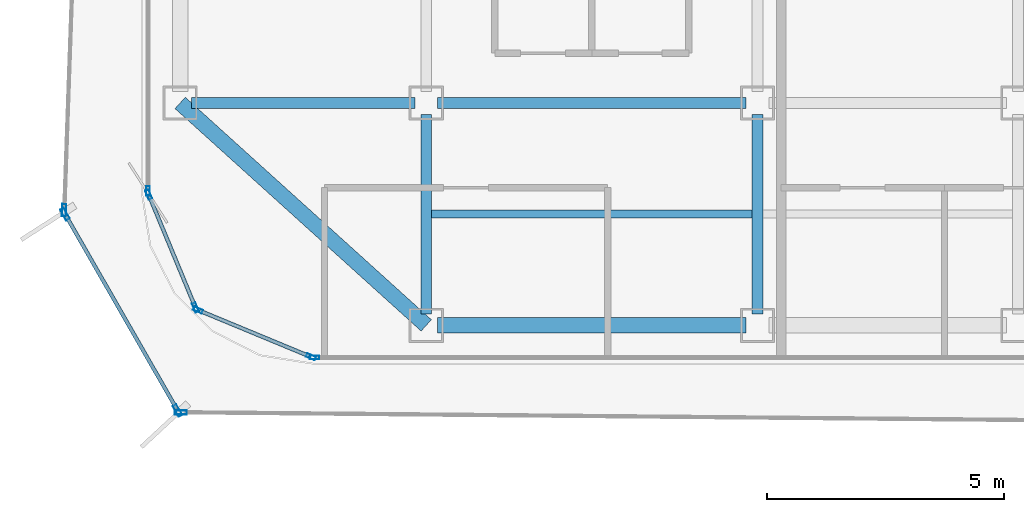
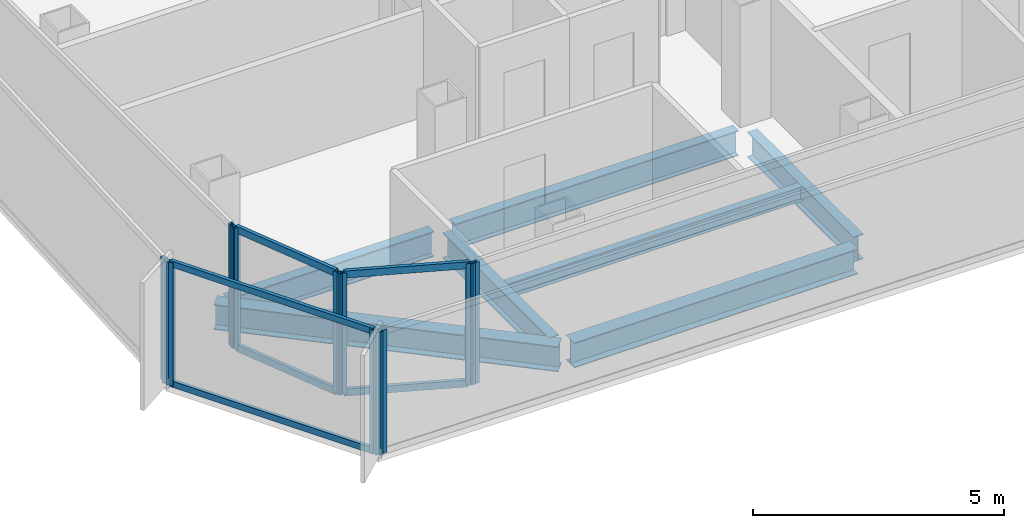
# One storey, part 2 of 16: 16 members, 7 beams, 7 elements without a shape of their own.
"""IFC4 building model written with IfcOpenShell, lengths in metres."""

from ifc_helpers import new_model, si_unit, direction, frame, origin, origin_2d, place, context, subcontext, project, spatial, hollow_rectangle, i_section, extrude, source, transform, mapped, material, layer, layer_set, material_profile, profile_set, type_object, element, aggregate, save


model = new_model("IFC4")

# Units and contexts
model_context = context("Model", 3, precision=1e-05, world=origin(), true_north=direction((0.0, 1.0)))
body_context = subcontext(model_context, "Body", "Model", "MODEL_VIEW")
ifc_project = project(units=[si_unit("LENGTHUNIT", "METRE"), si_unit("AREAUNIT", "SQUARE_METRE"), si_unit("VOLUMEUNIT", "CUBIC_METRE"), si_unit("PLANEANGLEUNIT", "RADIAN"), si_unit("MASSUNIT", "GRAM", prefix="KILO")], contexts=[model_context])

# Site, building, storey
site_placement = place(None, origin())
site = spatial("IfcSite", under=ifc_project, at=site_placement, CompositionType="ELEMENT")
building_placement = place(site_placement, origin())
building = spatial("IfcBuilding", under=site, at=building_placement, Name="Kolveth Station Tower", CompositionType="ELEMENT")
storey_placement = place(building_placement, frame((0.0, 0.0, 178.5)))
storey = spatial("IfcBuildingStorey", under=building, at=storey_placement, Name="L50", CompositionType="ELEMENT", Elevation=178.5)

# Beams
ifc_material_1 = material(Name="Steel S355", Category="steel")
ifc_material_profile_1 = material_profile(ifc_material_1, i_section(OverallWidth=0.323974609375, OverallDepth=0.611083984375, WebThickness=0.0126953125, FlangeThickness=0.01904296875, at=origin_2d()), Name="W610x155")
ifc_profile_set_1 = profile_set([ifc_material_profile_1], Name="Steel S355")
beam_type_1 = type_object("IfcBeamType", Name="Beam_SP2", PredefinedType="SPANDREL", material=ifc_profile_set_1)
shared_shape_1 = source(origin(), body_context, "Body", "SweptSolid", [
    extrude(i_section(OverallWidth=0.323974609375, OverallDepth=0.611083984375, WebThickness=0.0126953125, FlangeThickness=0.01904296875, at=origin_2d()), origin(), (0.0, 0.0, 1.0), 7.00927734375),
])
beam_1_placement = place(storey_placement, frame((0.800048828125, 5.5, -0.555419921875), z_axis=(0.741874009795, -0.670539300557, 0.0), x_axis=(0.670539300557, 0.741874009795, 0.0)))
element("IfcBeam", 1, at=beam_1_placement, inside=storey, type_object=beam_type_1, Name="L50 Corner Edge Girder BM-L50-CNR-SW", PredefinedType="SPANDREL", context=body_context, shape_type="MappedRepresentation", body=[
    mapped(shared_shape_1, transform((0.0, 0.0, 0.0), x_axis=(1.0, 0.0, 0.0), y_axis=(0.0, 1.0, 0.0), z_axis=(0.0, 0.0, 1.0), scale=1.0)),
])
shared_shape_2 = source(origin(), body_context, "Body", "SweptSolid", [
    extrude(i_section(OverallWidth=0.323974609375, OverallDepth=0.611083984375, WebThickness=0.0126953125, FlangeThickness=0.01904296875, at=origin_2d()), origin(), (0.0, 0.0, 1.0), 6.52001953125),
])
beam_2_placement = place(storey_placement, frame((6.239990234375, 0.800048828125, -0.555419921875), z_axis=(1.0, 0.0, 0.0), x_axis=(0.0, 1.0, 0.0)))
element("IfcBeam", 2, at=beam_2_placement, inside=storey, type_object=beam_type_1, Name="L50 Perimeter Spandrel BM-L50-PS-1", PredefinedType="SPANDREL", context=body_context, shape_type="MappedRepresentation", body=[
    mapped(shared_shape_2, transform((0.0, 0.0, 0.0), x_axis=(1.0, 0.0, 0.0), y_axis=(0.0, 1.0, 0.0), z_axis=(0.0, 0.0, 1.0), scale=1.0)),
])
ifc_material_profile_2 = material_profile(ifc_material_1, i_section(OverallWidth=0.22900390625, OverallDepth=0.612060546875, WebThickness=0.011962890625, FlangeThickness=0.01953125, at=origin_2d()), Name="W610x125")
ifc_profile_set_2 = profile_set([ifc_material_profile_2], Name="Steel S355")
beam_type_2 = type_object("IfcBeamType", Name="Beam_B5", PredefinedType="BEAM", material=ifc_profile_set_2)
shared_shape_3 = source(origin(), body_context, "Body", "SweptSolid", [
    extrude(i_section(OverallWidth=0.22900390625, OverallDepth=0.612060546875, WebThickness=0.011962890625, FlangeThickness=0.01953125, at=origin_2d()), origin(), (0.0, 0.0, 1.0), 4.719970703125),
])
beam_3_placement = place(storey_placement, frame((1.0400390625, 5.5, -0.555908203125), z_axis=(1.0, 0.0, 0.0), x_axis=(0.0, 1.0, 0.0)))
element("IfcBeam", 3, at=beam_3_placement, inside=storey, type_object=beam_type_2, Name="L50 Primary Girder BM-L50-GY55-1", PredefinedType="BEAM", context=body_context, shape_type="MappedRepresentation", body=[
    mapped(shared_shape_3, transform((0.0, 0.0, 0.0), x_axis=(1.0, 0.0, 0.0), y_axis=(0.0, 1.0, 0.0), z_axis=(0.0, 0.0, 1.0), scale=1.0)),
])
shared_shape_4 = source(origin(), body_context, "Body", "SweptSolid", [
    extrude(i_section(OverallWidth=0.22900390625, OverallDepth=0.612060546875, WebThickness=0.011962890625, FlangeThickness=0.01953125, at=origin_2d()), origin(), (0.0, 0.0, 1.0), 6.52001953125),
])
beam_4_placement = place(storey_placement, frame((6.239990234375, 5.5, -0.555908203125), z_axis=(1.0, 0.0, 0.0), x_axis=(0.0, 1.0, 0.0)))
element("IfcBeam", 4, at=beam_4_placement, inside=storey, type_object=beam_type_2, Name="L50 Primary Girder BM-L50-GY55-2", PredefinedType="BEAM", context=body_context, shape_type="MappedRepresentation", body=[
    mapped(shared_shape_4, transform((0.0, 0.0, 0.0), x_axis=(1.0, 0.0, 0.0), y_axis=(0.0, 1.0, 0.0), z_axis=(0.0, 0.0, 1.0), scale=1.0)),
])
shared_shape_5 = source(origin(), body_context, "Body", "SweptSolid", [
    extrude(i_section(OverallWidth=0.22900390625, OverallDepth=0.612060546875, WebThickness=0.011962890625, FlangeThickness=0.01953125, at=origin_2d()), origin(), (0.0, 0.0, 1.0), 4.219970703125),
])
for number, where, z_axis, x_axis, name in (
    (5, (6.0, 1.0400390625, -0.555908203125), (0.0, 1.0, 0.0), (-1.0, 0.0, 0.0), "L50 Primary Girder BM-L50-GX60-1"),
    (6, (13.0, 1.0400390625, -0.555908203125), (0.0, 1.0, 0.0), (-1.0, 0.0, 0.0), "L50 Primary Girder BM-L50-GX130-1"),
):
    element("IfcBeam", number, at=place(storey_placement, frame(where, z_axis=z_axis, x_axis=x_axis)), inside=storey, type_object=beam_type_2, Name=name, PredefinedType="BEAM", context=body_context, shape_type="MappedRepresentation", body=[
        mapped(shared_shape_5, transform((0.0, 0.0, 0.0), x_axis=(1.0, 0.0, 0.0), y_axis=(0.0, 1.0, 0.0), z_axis=(0.0, 0.0, 1.0), scale=1.0)),
    ])
ifc_material_profile_3 = material_profile(ifc_material_1, i_section(OverallWidth=0.1708984375, OverallDepth=0.35205078125, WebThickness=0.0068359375, FlangeThickness=0.009765625, at=origin_2d()), Name="W360x44")
ifc_profile_set_3 = profile_set([ifc_material_profile_3], Name="Steel S355")
beam_type_3 = type_object("IfcBeamType", Name="Beam_J2", PredefinedType="JOIST", material=ifc_profile_set_3)
shared_shape_6 = source(origin(), body_context, "Body", "SweptSolid", [
    extrude(i_section(OverallWidth=0.1708984375, OverallDepth=0.35205078125, WebThickness=0.0068359375, FlangeThickness=0.009765625, at=origin_2d()), origin(), (0.0, 0.0, 1.0), 6.77490234375),
])
beam_5_placement = place(storey_placement, frame((6.112548828125, 3.14990234375, -0.426025390625), z_axis=(1.0, 0.0, 0.0), x_axis=(0.0, 1.0, 0.0)))
element("IfcBeam", 7, at=beam_5_placement, inside=storey, type_object=beam_type_3, Name="L50 Secondary Joist JST-L50-2-1", PredefinedType="JOIST", context=body_context, shape_type="MappedRepresentation", body=[
    mapped(shared_shape_6, transform((0.0, 0.0, 0.0), x_axis=(1.0, 0.0, 0.0), y_axis=(0.0, 1.0, 0.0), z_axis=(0.0, 0.0, 1.0), scale=1.0)),
])

# Curtain wall, member
ifc_material_2 = material(Name="Aluminium 6063-T6 and low-E dark glass", Category="aluminium")
ifc_layer_1 = layer(ifc_material_2, 0.18994140625)
ifc_layer_set_1 = layer_set([ifc_layer_1], Name="Aluminium 6063-T6 and low-E dark glass")
curtain_wall_type_1 = type_object("IfcCurtainWallType", Name="CurtainWall_CW-Z2", PredefinedType="NOTDEFINED", material=ifc_layer_set_1)
curtain_wall_1_placement = place(storey_placement, origin())
curtain_wall_1 = element("IfcCurtainWall", 8, at=curtain_wall_1_placement, inside=storey, type_object=curtain_wall_type_1, Name="L50 Inner Thermal Curtain Wall 9", PredefinedType="NOTDEFINED")
ifc_material_3 = material(Name="Black anodized aluminium 6063-T6", Category="aluminium")
ifc_material_profile_4 = material_profile(ifc_material_3, hollow_rectangle(XDim=0.080078125, YDim=0.199951171875, WallThickness=0.0048828125, at=origin_2d()), Name="ALU-80x200x5")
ifc_profile_set_4 = profile_set([ifc_material_profile_4], Name="Black anodized aluminium 6063-T6")
member_type_1 = type_object("IfcMemberType", Name="Mullion_ML2", PredefinedType="MULLION", material=ifc_profile_set_4)
shared_shape_7 = source(origin(), body_context, "Body", "SweptSolid", [
    extrude(hollow_rectangle(XDim=0.080078125, YDim=0.199951171875, WallThickness=0.0048828125, at=origin_2d()), origin(), (0.0, 0.0, 1.0), 2.949951171875),
])
member_1_placement = place(storey_placement, frame((0.1201171875, 3.639892578125, 0.0), z_axis=(0.0, 0.0, 1.0), x_axis=(1.0, 0.0, 0.0)))
member_1 = element("IfcMember", 9, at=member_1_placement, type_object=member_type_1, Name="CW-Z2 mullion 2", PredefinedType="MULLION", context=body_context, shape_type="MappedRepresentation", body=[
    mapped(shared_shape_7, transform((0.0, 0.0, 0.0), x_axis=(1.0, 0.0, 0.0), y_axis=(0.0, 1.0, 0.0), z_axis=(0.0, 0.0, 1.0), scale=1.0)),
])
aggregate(curtain_wall_1, [member_1])

# Curtain wall, members
curtain_wall_2_placement = place(storey_placement, origin())
curtain_wall_2 = element("IfcCurtainWall", 10, at=curtain_wall_2_placement, inside=storey, type_object=curtain_wall_type_1, Name="L50 Inner Thermal Curtain Wall 10", PredefinedType="NOTDEFINED")
member_2_placement = place(storey_placement, frame((0.13525390625, 3.56298828125, 0.0), z_axis=(0.0, 0.0, 1.0), x_axis=(0.923873600544, 0.382697753087, 0.0)))
member_2 = element("IfcMember", 11, at=member_2_placement, type_object=member_type_1, Name="CW-Z2 mullion 1", PredefinedType="MULLION", context=body_context, shape_type="MappedRepresentation", body=[
    mapped(shared_shape_7, transform((0.0, 0.0, 0.0), x_axis=(1.0, 0.0, 0.0), y_axis=(0.0, 1.0, 0.0), z_axis=(0.0, 0.0, 1.0), scale=1.0)),
])
member_3_placement = place(storey_placement, frame((1.1240234375, 1.17626953125, 0.0), z_axis=(0.0, 0.0, 1.0), x_axis=(0.923873600544, 0.382697753087, 0.0)))
member_3 = element("IfcMember", 12, at=member_3_placement, type_object=member_type_1, Name="CW-Z2 mullion 2", PredefinedType="MULLION", context=body_context, shape_type="MappedRepresentation", body=[
    mapped(shared_shape_7, transform((0.0, 0.0, 0.0), x_axis=(1.0, 0.0, 0.0), y_axis=(0.0, 1.0, 0.0), z_axis=(0.0, 0.0, 1.0), scale=1.0)),
])

curtain_wall_3_placement = place(storey_placement, origin())
curtain_wall_3 = element("IfcCurtainWall", 13, at=curtain_wall_3_placement, inside=storey, type_object=curtain_wall_type_1, Name="L50 Inner Thermal Curtain Wall 11", PredefinedType="NOTDEFINED")
member_4_placement = place(storey_placement, frame((1.17626953125, 1.1240234375, 0.0), z_axis=(0.0, 0.0, 1.0), x_axis=(0.382697753087, 0.923873600544, 0.0)))
member_4 = element("IfcMember", 14, at=member_4_placement, type_object=member_type_1, Name="CW-Z2 mullion 1", PredefinedType="MULLION", context=body_context, shape_type="MappedRepresentation", body=[
    mapped(shared_shape_7, transform((0.0, 0.0, 0.0), x_axis=(1.0, 0.0, 0.0), y_axis=(0.0, 1.0, 0.0), z_axis=(0.0, 0.0, 1.0), scale=1.0)),
])
member_5_placement = place(storey_placement, frame((3.56298828125, 0.13525390625, 0.0), z_axis=(0.0, 0.0, 1.0), x_axis=(0.382697753087, 0.923873600544, 0.0)))
member_5 = element("IfcMember", 15, at=member_5_placement, type_object=member_type_1, Name="CW-Z2 mullion 2", PredefinedType="MULLION", context=body_context, shape_type="MappedRepresentation", body=[
    mapped(shared_shape_7, transform((0.0, 0.0, 0.0), x_axis=(1.0, 0.0, 0.0), y_axis=(0.0, 1.0, 0.0), z_axis=(0.0, 0.0, 1.0), scale=1.0)),
])

# Curtain wall, member
curtain_wall_4_placement = place(storey_placement, origin())
curtain_wall_4 = element("IfcCurtainWall", 16, at=curtain_wall_4_placement, inside=storey, type_object=curtain_wall_type_1, Name="L50 Inner Thermal Curtain Wall 12", PredefinedType="NOTDEFINED")
member_6_placement = place(storey_placement, frame((3.639892578125, 0.1201171875, 0.0), z_axis=(0.0, 0.0, 1.0), x_axis=(0.0, 1.0, 0.0)))
member_6 = element("IfcMember", 17, at=member_6_placement, type_object=member_type_1, Name="CW-Z2 mullion 1", PredefinedType="MULLION", context=body_context, shape_type="MappedRepresentation", body=[
    mapped(shared_shape_7, transform((0.0, 0.0, 0.0), x_axis=(1.0, 0.0, 0.0), y_axis=(0.0, 1.0, 0.0), z_axis=(0.0, 0.0, 1.0), scale=1.0)),
])
aggregate(curtain_wall_4, [member_6])

ifc_material_4 = material(Name="Black anodized aluminium 6063-T6 and dark solar glass", Category="aluminium")
ifc_layer_2 = layer(ifc_material_4, 0.159912109375)
ifc_layer_set_2 = layer_set([ifc_layer_2], Name="Black anodized aluminium 6063-T6 and dark solar glass")
curtain_wall_type_2 = type_object("IfcCurtainWallType", Name="OUTER SKIN CW-OS", PredefinedType="NOTDEFINED", material=ifc_layer_set_2)
curtain_wall_5_placement = place(storey_placement, origin())
curtain_wall_5 = element("IfcCurtainWall", 18, at=curtain_wall_5_placement, inside=storey, type_object=curtain_wall_type_2, Name="L50 Outer Ventilated Skin Curtain Wall 6", PredefinedType="NOTDEFINED")
ifc_material_profile_5 = material_profile(ifc_material_3, hollow_rectangle(XDim=0.090087890625, YDim=0.260009765625, WallThickness=0.0048828125, at=origin_2d()), Name="ALU-90x260x5")
ifc_profile_set_5 = profile_set([ifc_material_profile_5], Name="Black anodized aluminium 6063-T6")
member_type_2 = type_object("IfcMemberType", Name="FIN MULLION ML-OS", PredefinedType="MULLION", material=ifc_profile_set_5)
shared_shape_8 = source(origin(), body_context, "Body", "SweptSolid", [
    extrude(hollow_rectangle(XDim=0.090087890625, YDim=0.260009765625, WallThickness=0.0048828125, at=origin_2d()), origin(), (0.0, 0.0, 1.0), 2.989990234375),
])
member_7_placement = place(storey_placement, frame((-1.652587890625, 3.234130859375, 0.0), z_axis=(0.0, 0.0, 1.0), x_axis=(0.999376432226, -0.035309300622, 0.0)))
member_7 = element("IfcMember", 19, at=member_7_placement, type_object=member_type_2, Name="CW-OS mullion 2", PredefinedType="MULLION", context=body_context, shape_type="MappedRepresentation", body=[
    mapped(shared_shape_8, transform((0.0, 0.0, 0.0), x_axis=(1.0, 0.0, 0.0), y_axis=(0.0, 1.0, 0.0), z_axis=(0.0, 0.0, 1.0), scale=1.0)),
])
aggregate(curtain_wall_5, [member_7])

# Curtain wall, members
curtain_wall_6_placement = place(storey_placement, origin())
curtain_wall_6 = element("IfcCurtainWall", 20, at=curtain_wall_6_placement, inside=storey, type_object=curtain_wall_type_2, Name="L50 Outer Ventilated Skin Curtain Wall 7", PredefinedType="NOTDEFINED")
member_8_placement = place(storey_placement, frame((-1.6318359375, 3.150146484375, 0.0), z_axis=(0.0, 0.0, 1.0), x_axis=(0.867628755994, 0.497212572018, 0.0)))
member_8 = element("IfcMember", 21, at=member_8_placement, type_object=member_type_2, Name="CW-OS mullion 1", PredefinedType="MULLION", context=body_context, shape_type="MappedRepresentation", body=[
    mapped(shared_shape_8, transform((0.0, 0.0, 0.0), x_axis=(1.0, 0.0, 0.0), y_axis=(0.0, 1.0, 0.0), z_axis=(0.0, 0.0, 1.0), scale=1.0)),
])
member_9_placement = place(storey_placement, frame((0.746337890625, -0.999755859375, 0.0), z_axis=(0.0, 0.0, 1.0), x_axis=(0.867628755994, 0.497212572018, 0.0)))
member_9 = element("IfcMember", 22, at=member_9_placement, type_object=member_type_2, Name="CW-OS mullion 2", PredefinedType="MULLION", context=body_context, shape_type="MappedRepresentation", body=[
    mapped(shared_shape_8, transform((0.0, 0.0, 0.0), x_axis=(1.0, 0.0, 0.0), y_axis=(0.0, 1.0, 0.0), z_axis=(0.0, 0.0, 1.0), scale=1.0)),
])

# Curtain wall, member
curtain_wall_7_placement = place(storey_placement, origin())
curtain_wall_7 = element("IfcCurtainWall", 23, at=curtain_wall_7_placement, inside=storey, type_object=curtain_wall_type_2, Name="L50 Outer Ventilated Skin Curtain Wall 8", PredefinedType="NOTDEFINED")
member_10_placement = place(storey_placement, frame((0.813720703125, -1.039306640625, 0.0), z_axis=(0.0, 0.0, 1.0), x_axis=(0.009203011757, 0.999957651391, 0.0)))
member_10 = element("IfcMember", 24, at=member_10_placement, type_object=member_type_2, Name="CW-OS mullion 1", PredefinedType="MULLION", context=body_context, shape_type="MappedRepresentation", body=[
    mapped(shared_shape_8, transform((0.0, 0.0, 0.0), x_axis=(1.0, 0.0, 0.0), y_axis=(0.0, 1.0, 0.0), z_axis=(0.0, 0.0, 1.0), scale=1.0)),
])
aggregate(curtain_wall_7, [member_10])

# Member
ifc_material_profile_6 = material_profile(ifc_material_3, hollow_rectangle(XDim=0.080078125, YDim=0.169921875, WallThickness=0.0048828125, at=origin_2d()), Name="ALU-80x170x5")
ifc_profile_set_6 = profile_set([ifc_material_profile_6], Name="Black anodized aluminium 6063-T6")
member_type_3 = type_object("IfcMemberType", Name="Transom_TR2", PredefinedType="USERDEFINED", material=ifc_profile_set_6)
shared_shape_9 = source(origin(), body_context, "Body", "SweptSolid", [
    extrude(hollow_rectangle(XDim=0.080078125, YDim=0.169921875, WallThickness=0.0048828125, at=origin_2d()), origin(), (0.0, 0.0, 1.0), 2.50341796875),
])
member_11_placement = place(storey_placement, frame((0.150634765625, 3.526123046875, 0.0400390625), z_axis=(0.382661849723, -0.923888472039, 0.0), x_axis=(0.923888472039, 0.382661849723, 0.0)))
member_11 = element("IfcMember", 25, at=member_11_placement, type_object=member_type_3, Name="CW-Z2 transom 1.1", ObjectType="TRANSOM", PredefinedType="USERDEFINED", context=body_context, shape_type="MappedRepresentation", body=[
    mapped(shared_shape_9, transform((0.0, 0.0, 0.0), x_axis=(1.0, 0.0, 0.0), y_axis=(0.0, 1.0, 0.0), z_axis=(0.0, 0.0, 1.0), scale=1.0)),
])

member_12_placement = place(storey_placement, frame((0.150634765625, 3.526123046875, 2.909912109375), z_axis=(0.382661849723, -0.923888472039, 0.0), x_axis=(0.923888472039, 0.382661849723, 0.0)))
member_12 = element("IfcMember", 26, at=member_12_placement, type_object=member_type_3, Name="CW-Z2 transom 1.2", ObjectType="TRANSOM", PredefinedType="USERDEFINED", context=body_context, shape_type="MappedRepresentation", body=[
    mapped(shared_shape_9, transform((0.0, 0.0, 0.0), x_axis=(1.0, 0.0, 0.0), y_axis=(0.0, 1.0, 0.0), z_axis=(0.0, 0.0, 1.0), scale=1.0)),
])

aggregate(curtain_wall_2, [member_2, member_3, member_11, member_12])

member_13_placement = place(storey_placement, frame((1.213134765625, 1.108642578125, 0.0400390625), z_axis=(0.923888472039, -0.382661849723, 0.0), x_axis=(0.382661849723, 0.923888472039, 0.0)))
member_13 = element("IfcMember", 27, at=member_13_placement, type_object=member_type_3, Name="CW-Z2 transom 1.1", ObjectType="TRANSOM", PredefinedType="USERDEFINED", context=body_context, shape_type="MappedRepresentation", body=[
    mapped(shared_shape_9, transform((0.0, 0.0, 0.0), x_axis=(1.0, 0.0, 0.0), y_axis=(0.0, 1.0, 0.0), z_axis=(0.0, 0.0, 1.0), scale=1.0)),
])

member_14_placement = place(storey_placement, frame((1.213134765625, 1.108642578125, 2.909912109375), z_axis=(0.923888472039, -0.382661849723, 0.0), x_axis=(0.382661849723, 0.923888472039, 0.0)))
member_14 = element("IfcMember", 28, at=member_14_placement, type_object=member_type_3, Name="CW-Z2 transom 1.2", ObjectType="TRANSOM", PredefinedType="USERDEFINED", context=body_context, shape_type="MappedRepresentation", body=[
    mapped(shared_shape_9, transform((0.0, 0.0, 0.0), x_axis=(1.0, 0.0, 0.0), y_axis=(0.0, 1.0, 0.0), z_axis=(0.0, 0.0, 1.0), scale=1.0)),
])

aggregate(curtain_wall_3, [member_4, member_5, member_13, member_14])

ifc_material_profile_7 = material_profile(ifc_material_3, hollow_rectangle(XDim=0.080078125, YDim=0.14990234375, WallThickness=0.0048828125, at=origin_2d()), Name="ALU-80x150x5")
ifc_profile_set_7 = profile_set([ifc_material_profile_7], Name="Black anodized aluminium 6063-T6")
member_type_4 = type_object("IfcMemberType", Name="Transom_TR-OS", PredefinedType="USERDEFINED", material=ifc_profile_set_7)
shared_shape_10 = source(origin(), body_context, "Body", "SweptSolid", [
    extrude(hollow_rectangle(XDim=0.080078125, YDim=0.14990234375, WallThickness=0.0048828125, at=origin_2d()), origin(), (0.0, 0.0, 1.0), 4.693115234375),
])
member_15_placement = place(storey_placement, frame((-1.609375, 3.111083984375, 0.0400390625), z_axis=(0.49722540737, -0.867621400304, 0.0), x_axis=(0.867621400304, 0.49722540737, 0.0)))
member_15 = element("IfcMember", 29, at=member_15_placement, type_object=member_type_4, Name="CW-OS transom 1.1", ObjectType="TRANSOM", PredefinedType="USERDEFINED", context=body_context, shape_type="MappedRepresentation", body=[
    mapped(shared_shape_10, transform((0.0, 0.0, 0.0), x_axis=(1.0, 0.0, 0.0), y_axis=(0.0, 1.0, 0.0), z_axis=(0.0, 0.0, 1.0), scale=1.0)),
])

member_16_placement = place(storey_placement, frame((-1.609375, 3.111083984375, 2.949951171875), z_axis=(0.49722540737, -0.867621400304, 0.0), x_axis=(0.867621400304, 0.49722540737, 0.0)))
member_16 = element("IfcMember", 30, at=member_16_placement, type_object=member_type_4, Name="CW-OS transom 1.2", ObjectType="TRANSOM", PredefinedType="USERDEFINED", context=body_context, shape_type="MappedRepresentation", body=[
    mapped(shared_shape_10, transform((0.0, 0.0, 0.0), x_axis=(1.0, 0.0, 0.0), y_axis=(0.0, 1.0, 0.0), z_axis=(0.0, 0.0, 1.0), scale=1.0)),
])

aggregate(curtain_wall_6, [member_8, member_9, member_15, member_16])

save(model, "model.ifc")
